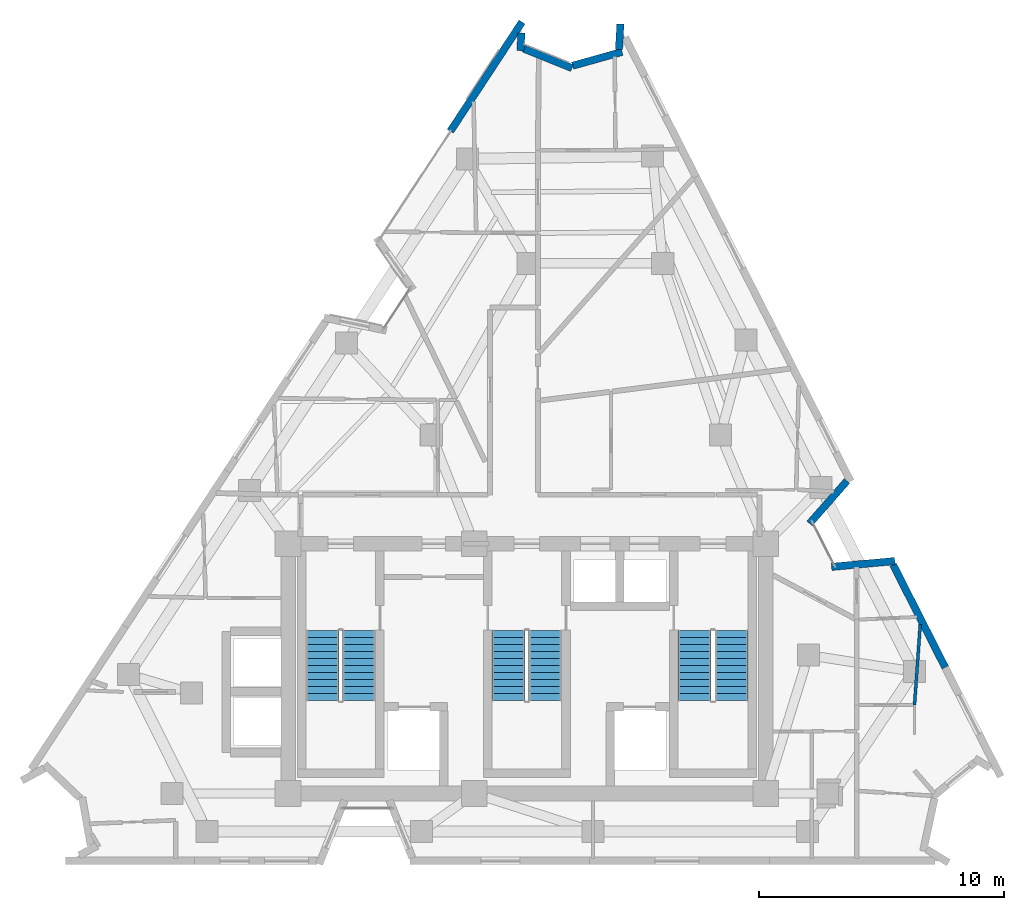
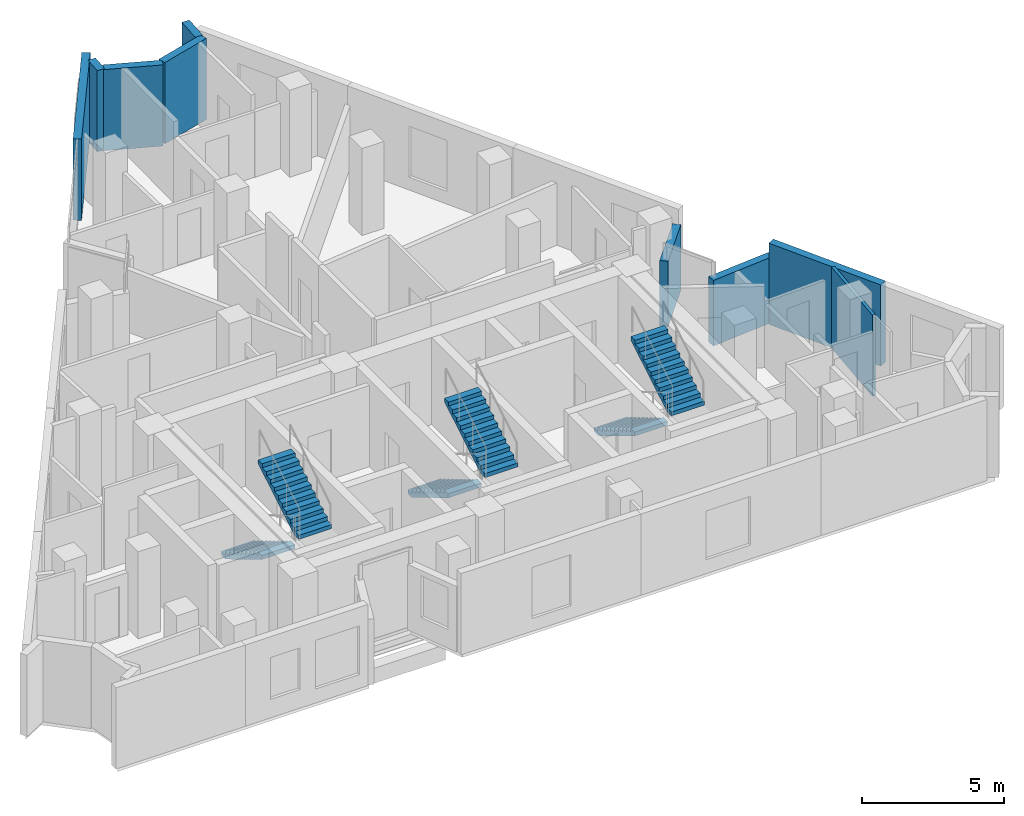
# One storey, part 9 of 10: 9 walls, 6 stair flights, 3 elements without a shape of their own.
"""IFC4 building model written with IfcOpenShell, lengths in metres."""

from ifc_helpers import new_model, si_unit, direction, frame, frame_2d, origin, place, context, subcontext, project, spatial, polyline, rectangle, outline, extrude, material, layer, layer_set, type_object, element, aggregate, save


model = new_model("IFC4")

# Units and contexts
model_context = context("Model", 3, precision=1e-05, world=origin(), true_north=direction((0.0, 1.0)))
body_context = subcontext(model_context, "Body", "Model", "MODEL_VIEW")
ifc_project = project(units=[si_unit("LENGTHUNIT", "METRE"), si_unit("AREAUNIT", "SQUARE_METRE"), si_unit("VOLUMEUNIT", "CUBIC_METRE"), si_unit("PLANEANGLEUNIT", "RADIAN"), si_unit("MASSUNIT", "GRAM", prefix="KILO")], contexts=[model_context])

# Site, building, storey
site_placement = place(None, origin())
site = spatial("IfcSite", under=ifc_project, at=site_placement, CompositionType="ELEMENT")
building_placement = place(site_placement, origin())
building = spatial("IfcBuilding", under=site, at=building_placement, Name="Almagre Mirador Tower", CompositionType="ELEMENT")
storey_placement = place(building_placement, frame((0.0, 0.0, 233.25)))
storey = spatial("IfcBuildingStorey", under=building, at=storey_placement, Name="L60", CompositionType="ELEMENT", Elevation=233.25)

# Walls
ifc_material_1 = material(Name="Precast concrete C50/60", Category="concrete")
ifc_layer_1 = layer(ifc_material_1, 0.300048828125)
ifc_layer_set_1 = layer_set([ifc_layer_1], Name="Precast concrete C50/60")
wall_type_1 = type_object("IfcWallType", Name="WAL-EXT-300", PredefinedType="SOLIDWALL", material=ifc_layer_set_1)
wall_1_placement = place(storey_placement, frame((34.173095703125, 31.595458984375, 0.0), z_axis=(0.0, 0.0, 1.0), x_axis=(0.54906197659, 0.835781637668, 0.0)))
element("IfcWall", 1, at=wall_1_placement, inside=storey, type_object=wall_type_1, Name="L60 expressed almagre precast frame wall 03", PredefinedType="SOLIDWALL", context=body_context, shape_type="SweptSolid", body=[
    extrude(rectangle(XDim=5.338134765625, YDim=0.300048828125, at=frame_2d((2.6689453125, 0.0))), origin(), (0.0, 0.0, 1.0), 3.5),
])
wall_2_placement = place(storey_placement, frame((37.078857421875, 35.607666015625, 0.0), z_axis=(0.0, 0.0, 1.0), x_axis=(-0.056196862548, -0.998419707658, 0.0)))
element("IfcWall", 2, at=wall_2_placement, inside=storey, type_object=wall_type_1, Name="L60 expressed almagre precast frame wall 04", PredefinedType="SOLIDWALL", context=body_context, shape_type="SweptSolid", body=[
    extrude(rectangle(XDim=0.7255859375, YDim=0.300048828125, at=frame_2d((0.36279296875, 0.0))), origin(), (0.0, 0.0, 1.0), 3.5),
])
wall_3_placement = place(storey_placement, frame((37.171142578125, 34.972412109375, 0.0), z_axis=(0.0, 0.0, 1.0), x_axis=(0.927076098221, -0.37487318937, 0.0)))
element("IfcWall", 3, at=wall_3_placement, inside=storey, type_object=wall_type_1, Name="L60 expressed almagre precast frame wall 05", PredefinedType="SOLIDWALL", context=body_context, shape_type="SweptSolid", body=[
    extrude(rectangle(XDim=2.125732421875, YDim=0.300048828125, at=frame_2d((1.06298828125, 0.0))), origin(), (0.0, 0.0, 1.0), 3.5),
])
wall_4_placement = place(storey_placement, frame((39.166015625, 34.27099609375, 0.0), z_axis=(0.0, 0.0, 1.0), x_axis=(0.962897602702, 0.269867016714, 0.0)))
element("IfcWall", 4, at=wall_4_placement, inside=storey, type_object=wall_type_1, Name="L60 expressed almagre precast frame wall 06", PredefinedType="SOLIDWALL", context=body_context, shape_type="SweptSolid", body=[
    extrude(rectangle(XDim=2.1005859375, YDim=0.300048828125, at=frame_2d((1.05029296875, 0.0))), origin(), (0.0, 0.0, 1.0), 3.5),
])
wall_5_placement = place(storey_placement, frame((41.0615234375, 34.934814453125, 0.0), z_axis=(0.0, 0.0, 1.0), x_axis=(0.056067679965, 0.998426970421, 0.0)))
element("IfcWall", 5, at=wall_5_placement, inside=storey, type_object=wall_type_1, Name="L60 expressed almagre precast frame wall 07", PredefinedType="SOLIDWALL", context=body_context, shape_type="SweptSolid", body=[
    extrude(rectangle(XDim=1.040771484375, YDim=0.300048828125, at=frame_2d((0.5205078125, 0.0))), origin(), (0.0, 0.0, 1.0), 3.5),
])
wall_6_placement = place(storey_placement, frame((50.37353515625, 17.31396484375, 0.0), z_axis=(0.0, 0.0, 1.0), x_axis=(-0.661181862719, -0.750225662325, 0.0)))
element("IfcWall", 6, at=wall_6_placement, inside=storey, type_object=wall_type_1, Name="L60 expressed almagre precast frame wall 11", PredefinedType="SOLIDWALL", context=body_context, shape_type="SweptSolid", body=[
    extrude(rectangle(XDim=2.31396484375, YDim=0.300048828125, at=frame_2d((1.156982421875, 0.0))), origin(), (0.0, 0.0, 1.0), 2.824951171875),
])
wall_7_placement = place(storey_placement, frame((49.74365234375, 13.80712890625, 0.0), z_axis=(0.0, 0.0, 1.0), x_axis=(0.995831248554, 0.091214715932, 0.0)))
element("IfcWall", 7, at=wall_7_placement, inside=storey, type_object=wall_type_1, Name="L60 expressed almagre precast frame wall 12", PredefinedType="SOLIDWALL", context=body_context, shape_type="SweptSolid", body=[
    extrude(rectangle(XDim=2.593505859375, YDim=0.300048828125, at=frame_2d((1.296875, 0.0))), origin(), (0.0, 0.0, 1.0), 2.824951171875),
])
wall_8_placement = place(storey_placement, frame((52.25048828125, 13.90625, 0.0), z_axis=(0.0, 0.0, 1.0), x_axis=(0.452812584034, -0.891605722133, 0.0)))
element("IfcWall", 8, at=wall_8_placement, inside=storey, type_object=wall_type_1, Name="L60 expressed almagre precast frame wall 13", PredefinedType="SOLIDWALL", context=body_context, shape_type="SweptSolid", body=[
    extrude(rectangle(XDim=4.71923828125, YDim=0.300048828125, at=frame_2d((2.359619140625, 0.0))), origin(), (0.0, 0.0, 1.0), 3.5),
])
ifc_material_2 = material(Name="Gypsum acoustic stud partition", Category="other")
ifc_layer_2 = layer(ifc_material_2, 0.125)
ifc_layer_set_2 = layer_set([ifc_layer_2], Name="Gypsum acoustic stud partition")
wall_type_2 = type_object("IfcWallType", Name="WAL-PRT-125-UTL", PredefinedType="PARTITIONING", material=ifc_layer_set_2)
wall_9_placement = place(storey_placement, frame((53.364990234375, 11.450927734375, 0.0), z_axis=(0.0, 0.0, 1.0), x_axis=(-0.071257567096, -0.997457948553, 0.0)))
element("IfcWall", 9, at=wall_9_placement, inside=storey, type_object=wall_type_2, Name="L60 interior partition 034", PredefinedType="PARTITIONING", context=body_context, shape_type="SweptSolid", body=[
    extrude(rectangle(XDim=3.29931640625, YDim=0.125, at=frame_2d((1.649658203125, 0.0))), origin(), (0.0, 0.0, 1.0), 3.5),
])

# Stair, stair flights
ifc_material_3 = material(Name="Concrete C45/55", Category="concrete")
stair_type = type_object("IfcStairType", Name="STR-DL-3750", PredefinedType="HALF_TURN_STAIR", material=ifc_material_3)
stair_1_placement = place(storey_placement, origin())
stair_1 = element("IfcStair", 10, at=stair_1_placement, inside=storey, type_object=stair_type, Name="L60 Protected exit stair ST-1", PredefinedType="HALF_TURN_STAIR")
ifc_material_4 = material(Name="Concrete C45/55", Category="concrete")
stair_flight_type = type_object("IfcStairFlightType", Name="FLT-DL-3750", PredefinedType="STRAIGHT", material=ifc_material_4)
stair_flight_1_placement = place(storey_placement, frame((28.949951171875, 11.199951171875, 0.0), z_axis=(0.0, 0.0, 1.0), x_axis=(0.0, -1.0, 0.0)))
stair_flight_1 = element("IfcStairFlight", 11, at=stair_flight_1_placement, type_object=stair_flight_type, Name="ST-1 flight 1", NumberOfRisers=11, NumberOfTreads=10, PredefinedType="STRAIGHT", RiserHeight=0.170454545, TreadLength=0.285, context=body_context, shape_type="SweptSolid", body=[
    extrude(outline(polyline([(0.0, 0.0), (0.0, 0.17041015625), (0.284912109375, 0.17041015625), (0.284912109375, 0.3408203125), (0.570068359375, 0.3408203125), (0.570068359375, 0.511474609375), (0.85498046875, 0.511474609375), (0.85498046875, 0.681884765625), (1.139892578125, 0.681884765625), (1.139892578125, 0.852294921875), (1.425048828125, 0.852294921875), (1.425048828125, 1.022705078125), (1.7099609375, 1.022705078125), (1.7099609375, 1.193115234375), (1.9951171875, 1.193115234375), (1.9951171875, 1.363525390625), (2.280029296875, 1.363525390625), (2.280029296875, 1.5341796875), (2.56494140625, 1.5341796875), (2.56494140625, 1.70458984375), (2.85009765625, 1.70458984375), (2.85009765625, 1.875), (2.85009765625, 1.52978515625), (0.2919921875, 0.0), (0.0, 0.0)])), frame((0.0, 0.675048828125, 0.0), z_axis=(0.0, -1.0, 0.0), x_axis=(1.0, 0.0, 0.0)), (0.0, 0.0, 1.0), 1.35009765625),
])
stair_flight_2_placement = place(storey_placement, frame((30.449951171875, 8.35009765625, 1.875), z_axis=(0.0, 0.0, 1.0), x_axis=(0.0, 1.0, 0.0)))
stair_flight_2 = element("IfcStairFlight", 12, at=stair_flight_2_placement, type_object=stair_flight_type, Name="ST-1 flight 2", NumberOfRisers=11, NumberOfTreads=10, PredefinedType="STRAIGHT", RiserHeight=0.170454545, TreadLength=0.285, context=body_context, shape_type="SweptSolid", body=[
    extrude(outline(polyline([(0.0, 0.0), (0.0, 0.17041015625), (0.284912109375, 0.17041015625), (0.284912109375, 0.3408203125), (0.570068359375, 0.3408203125), (0.570068359375, 0.511474609375), (0.85498046875, 0.511474609375), (0.85498046875, 0.681884765625), (1.139892578125, 0.681884765625), (1.139892578125, 0.852294921875), (1.425048828125, 0.852294921875), (1.425048828125, 1.022705078125), (1.7099609375, 1.022705078125), (1.7099609375, 1.193115234375), (1.9951171875, 1.193115234375), (1.9951171875, 1.363525390625), (2.280029296875, 1.363525390625), (2.280029296875, 1.5341796875), (2.56494140625, 1.5341796875), (2.56494140625, 1.70458984375), (2.85009765625, 1.70458984375), (2.85009765625, 1.875), (2.85009765625, 1.52978515625), (0.2919921875, 0.0), (0.0, 0.0)])), frame((0.0, 0.675048828125, 0.0), z_axis=(0.0, -1.0, 0.0), x_axis=(1.0, 0.0, 0.0)), (0.0, 0.0, 1.0), 1.35009765625),
])
aggregate(stair_1, [stair_flight_1, stair_flight_2])

stair_2_placement = place(storey_placement, origin())
stair_2 = element("IfcStair", 13, at=stair_2_placement, inside=storey, type_object=stair_type, Name="L60 Protected exit stair ST-2", PredefinedType="HALF_TURN_STAIR")
stair_flight_3_placement = place(storey_placement, frame((36.550048828125, 11.199951171875, 0.0), z_axis=(0.0, 0.0, 1.0), x_axis=(0.0, -1.0, 0.0)))
stair_flight_3 = element("IfcStairFlight", 14, at=stair_flight_3_placement, type_object=stair_flight_type, Name="ST-2 flight 1", NumberOfRisers=11, NumberOfTreads=10, PredefinedType="STRAIGHT", RiserHeight=0.170454545, TreadLength=0.285, context=body_context, shape_type="SweptSolid", body=[
    extrude(outline(polyline([(0.0, 0.0), (0.0, 0.17041015625), (0.284912109375, 0.17041015625), (0.284912109375, 0.3408203125), (0.570068359375, 0.3408203125), (0.570068359375, 0.511474609375), (0.85498046875, 0.511474609375), (0.85498046875, 0.681884765625), (1.139892578125, 0.681884765625), (1.139892578125, 0.852294921875), (1.425048828125, 0.852294921875), (1.425048828125, 1.022705078125), (1.7099609375, 1.022705078125), (1.7099609375, 1.193115234375), (1.9951171875, 1.193115234375), (1.9951171875, 1.363525390625), (2.280029296875, 1.363525390625), (2.280029296875, 1.5341796875), (2.56494140625, 1.5341796875), (2.56494140625, 1.70458984375), (2.85009765625, 1.70458984375), (2.85009765625, 1.875), (2.85009765625, 1.52978515625), (0.2919921875, 0.0), (0.0, 0.0)])), frame((0.0, 0.675048828125, 0.0), z_axis=(0.0, -1.0, 0.0), x_axis=(1.0, 0.0, 0.0)), (0.0, 0.0, 1.0), 1.35009765625),
])
stair_flight_4_placement = place(storey_placement, frame((38.050048828125, 8.35009765625, 1.875), z_axis=(0.0, 0.0, 1.0), x_axis=(0.0, 1.0, 0.0)))
stair_flight_4 = element("IfcStairFlight", 15, at=stair_flight_4_placement, type_object=stair_flight_type, Name="ST-2 flight 2", NumberOfRisers=11, NumberOfTreads=10, PredefinedType="STRAIGHT", RiserHeight=0.170454545, TreadLength=0.285, context=body_context, shape_type="SweptSolid", body=[
    extrude(outline(polyline([(0.0, 0.0), (0.0, 0.17041015625), (0.284912109375, 0.17041015625), (0.284912109375, 0.3408203125), (0.570068359375, 0.3408203125), (0.570068359375, 0.511474609375), (0.85498046875, 0.511474609375), (0.85498046875, 0.681884765625), (1.139892578125, 0.681884765625), (1.139892578125, 0.852294921875), (1.425048828125, 0.852294921875), (1.425048828125, 1.022705078125), (1.7099609375, 1.022705078125), (1.7099609375, 1.193115234375), (1.9951171875, 1.193115234375), (1.9951171875, 1.363525390625), (2.280029296875, 1.363525390625), (2.280029296875, 1.5341796875), (2.56494140625, 1.5341796875), (2.56494140625, 1.70458984375), (2.85009765625, 1.70458984375), (2.85009765625, 1.875), (2.85009765625, 1.52978515625), (0.2919921875, 0.0), (0.0, 0.0)])), frame((0.0, 0.675048828125, 0.0), z_axis=(0.0, -1.0, 0.0), x_axis=(1.0, 0.0, 0.0)), (0.0, 0.0, 1.0), 1.35009765625),
])
aggregate(stair_2, [stair_flight_3, stair_flight_4])

stair_3_placement = place(storey_placement, origin())
stair_3 = element("IfcStair", 16, at=stair_3_placement, inside=storey, type_object=stair_type, Name="L60 Protected exit stair ST-3", PredefinedType="HALF_TURN_STAIR")
stair_flight_5_placement = place(storey_placement, frame((44.14990234375, 11.199951171875, 0.0), z_axis=(0.0, 0.0, 1.0), x_axis=(0.0, -1.0, 0.0)))
stair_flight_5 = element("IfcStairFlight", 17, at=stair_flight_5_placement, type_object=stair_flight_type, Name="ST-3 flight 1", NumberOfRisers=11, NumberOfTreads=10, PredefinedType="STRAIGHT", RiserHeight=0.170454545, TreadLength=0.285, context=body_context, shape_type="SweptSolid", body=[
    extrude(outline(polyline([(0.0, 0.0), (0.0, 0.17041015625), (0.284912109375, 0.17041015625), (0.284912109375, 0.3408203125), (0.570068359375, 0.3408203125), (0.570068359375, 0.511474609375), (0.85498046875, 0.511474609375), (0.85498046875, 0.681884765625), (1.139892578125, 0.681884765625), (1.139892578125, 0.852294921875), (1.425048828125, 0.852294921875), (1.425048828125, 1.022705078125), (1.7099609375, 1.022705078125), (1.7099609375, 1.193115234375), (1.9951171875, 1.193115234375), (1.9951171875, 1.363525390625), (2.280029296875, 1.363525390625), (2.280029296875, 1.5341796875), (2.56494140625, 1.5341796875), (2.56494140625, 1.70458984375), (2.85009765625, 1.70458984375), (2.85009765625, 1.875), (2.85009765625, 1.52978515625), (0.2919921875, 0.0), (0.0, 0.0)])), frame((0.0, 0.675048828125, 0.0), z_axis=(0.0, -1.0, 0.0), x_axis=(1.0, 0.0, 0.0)), (0.0, 0.0, 1.0), 1.35009765625),
])
stair_flight_6_placement = place(storey_placement, frame((45.64990234375, 8.35009765625, 1.875), z_axis=(0.0, 0.0, 1.0), x_axis=(0.0, 1.0, 0.0)))
stair_flight_6 = element("IfcStairFlight", 18, at=stair_flight_6_placement, type_object=stair_flight_type, Name="ST-3 flight 2", NumberOfRisers=11, NumberOfTreads=10, PredefinedType="STRAIGHT", RiserHeight=0.170454545, TreadLength=0.285, context=body_context, shape_type="SweptSolid", body=[
    extrude(outline(polyline([(0.0, 0.0), (0.0, 0.17041015625), (0.284912109375, 0.17041015625), (0.284912109375, 0.3408203125), (0.570068359375, 0.3408203125), (0.570068359375, 0.511474609375), (0.85498046875, 0.511474609375), (0.85498046875, 0.681884765625), (1.139892578125, 0.681884765625), (1.139892578125, 0.852294921875), (1.425048828125, 0.852294921875), (1.425048828125, 1.022705078125), (1.7099609375, 1.022705078125), (1.7099609375, 1.193115234375), (1.9951171875, 1.193115234375), (1.9951171875, 1.363525390625), (2.280029296875, 1.363525390625), (2.280029296875, 1.5341796875), (2.56494140625, 1.5341796875), (2.56494140625, 1.70458984375), (2.85009765625, 1.70458984375), (2.85009765625, 1.875), (2.85009765625, 1.52978515625), (0.2919921875, 0.0), (0.0, 0.0)])), frame((0.0, 0.675048828125, 0.0), z_axis=(0.0, -1.0, 0.0), x_axis=(1.0, 0.0, 0.0)), (0.0, 0.0, 1.0), 1.35009765625),
])
aggregate(stair_3, [stair_flight_5, stair_flight_6])

save(model, "model.ifc")
